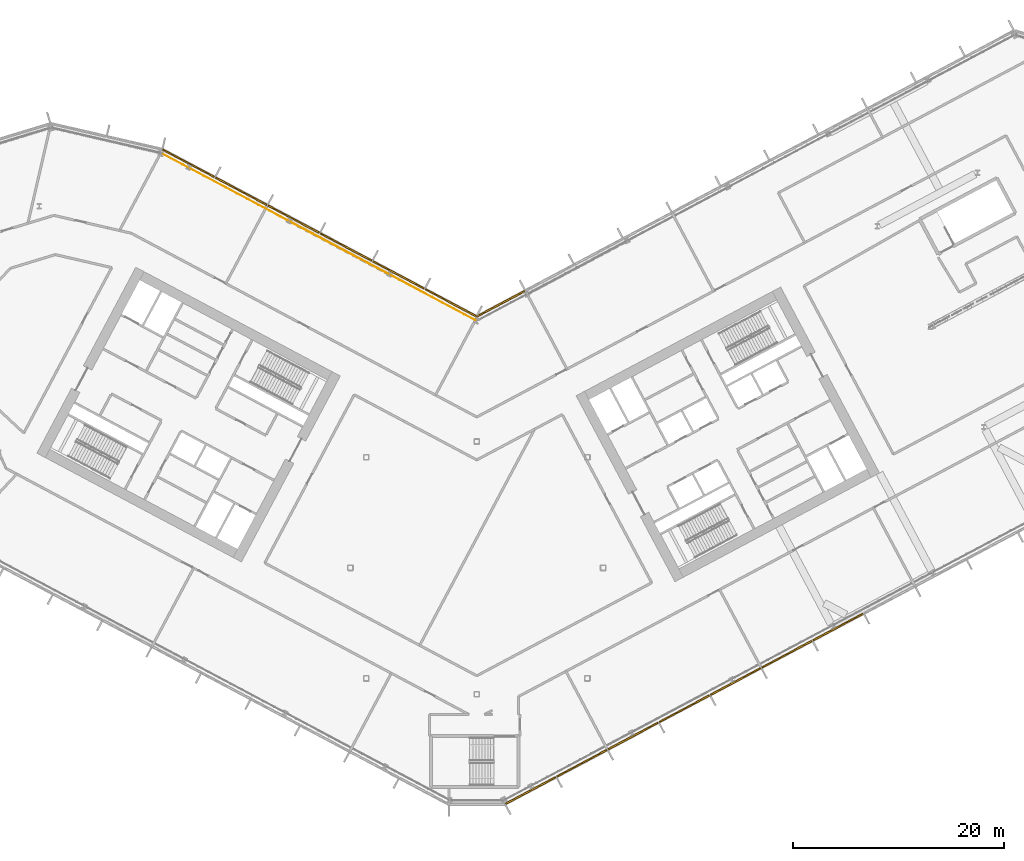
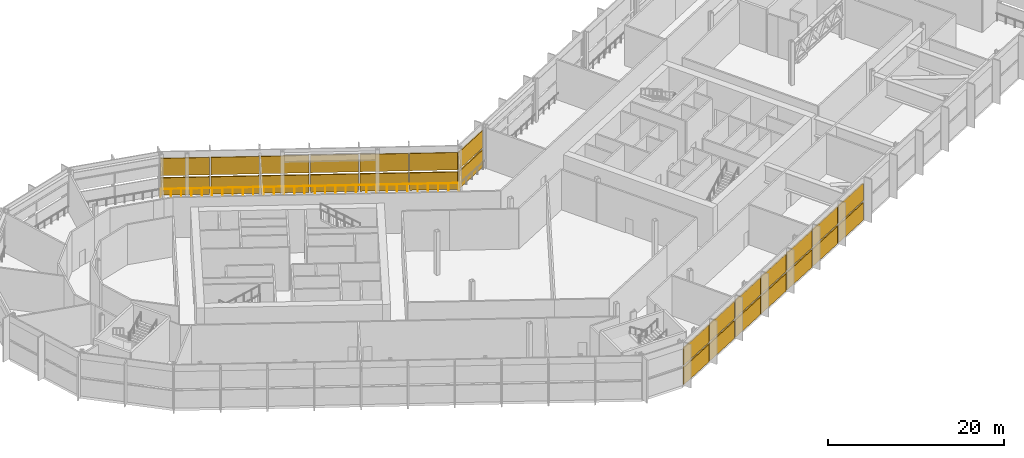
# One storey, part 26 of 33: 28 shading devices, 1 railing, 3 elements without a shape of their own.
"""IFC4 building model written with IfcOpenShell, lengths in metres."""

from ifc_helpers import new_model, si_unit, direction, frame, origin, origin_2d, place, context, subcontext, project, spatial, polyline, rectangle, outline, extrude, material, layer, layer_set, type_object, element, aggregate, save


model = new_model("IFC4")

# Units and contexts
model_context = context("Model", 3, precision=1e-05, world=origin(), true_north=direction((0.0, 1.0)))
body_context = subcontext(model_context, "Body", "Model", "MODEL_VIEW")
ifc_project = project(units=[si_unit("LENGTHUNIT", "METRE"), si_unit("AREAUNIT", "SQUARE_METRE"), si_unit("VOLUMEUNIT", "CUBIC_METRE"), si_unit("PLANEANGLEUNIT", "RADIAN"), si_unit("MASSUNIT", "GRAM", prefix="KILO")], contexts=[model_context])

# Site, building, storey
site_placement = place(None, origin())
site = spatial("IfcSite", under=ifc_project, at=site_placement, CompositionType="ELEMENT")
building_placement = place(site_placement, origin())
building = spatial("IfcBuilding", under=site, at=building_placement, Name="Cormorant Relay Tower", CompositionType="ELEMENT")
storey_placement = place(building_placement, frame((0.0, 0.0, 112.199951171875)))
storey = spatial("IfcBuildingStorey", under=building, at=storey_placement, Name="L22", CompositionType="ELEMENT", Elevation=112.199951171875)

# Railing
ifc_material_1 = material(Name="Stainless steel 316 guard", Category="steel")
railing_type = type_object("IfcRailingType", Name="Band louvre guard 1100", PredefinedType="GUARDRAIL", material=ifc_material_1)
railing_placement = place(storey_placement, frame((-0.140869140625, 23.51904296875, 0.0)))
element("IfcRailing", 1, at=railing_placement, inside=storey, type_object=railing_type, Name="CW4 guard 7", PredefinedType="GUARDRAIL", context=body_context, shape_type="SweptSolid", body=[
    extrude(outline(polyline([(0.022216796875, 0.00927734375), (0.00927734375, 0.022216796875), (-0.00927734375, 0.022216796875), (-0.022216796875, 0.00927734375), (-0.022216796875, -0.00927734375), (-0.00927734375, -0.022216796875), (0.00927734375, -0.022216796875), (0.022216796875, -0.00927734375), (0.022216796875, 0.00927734375)])), frame((0.0, 0.0, 1.076171875), z_axis=(-0.882946280328, 0.46947403129, 0.0), x_axis=(-0.46947403129, -0.882946280328, 0.0)), (0.0, 0.0, 1.0), 33.834228515625),
    extrude(outline(polyline([(0.019287109375, 0.008056640625), (0.008056640625, 0.019287109375), (-0.008056640625, 0.019287109375), (-0.019287109375, 0.008056640625), (-0.019287109375, -0.008056640625), (-0.008056640625, -0.019287109375), (0.008056640625, -0.019287109375), (0.019287109375, -0.008056640625), (0.019287109375, 0.008056640625)])), origin(), (0.0, 0.0, 1.0), 1.052001953125),
    extrude(outline(polyline([(0.019287109375, 0.008056640625), (0.008056640625, 0.019287109375), (-0.008056640625, 0.019287109375), (-0.019287109375, 0.008056640625), (-0.019287109375, -0.008056640625), (-0.008056640625, -0.019287109375), (0.008056640625, -0.019287109375), (0.019287109375, -0.008056640625), (0.019287109375, 0.008056640625)])), frame((-1.030029296875, 0.5478515625, 0.0)), (0.0, 0.0, 1.0), 1.052001953125),
    extrude(outline(polyline([(0.019287109375, 0.008056640625), (0.008056640625, 0.019287109375), (-0.008056640625, 0.019287109375), (-0.019287109375, 0.008056640625), (-0.019287109375, -0.008056640625), (-0.008056640625, -0.019287109375), (0.008056640625, -0.019287109375), (0.019287109375, -0.008056640625), (0.019287109375, 0.008056640625)])), frame((-2.060302734375, 1.095458984375, 0.0)), (0.0, 0.0, 1.0), 1.052001953125),
    extrude(outline(polyline([(0.019287109375, 0.008056640625), (0.008056640625, 0.019287109375), (-0.008056640625, 0.019287109375), (-0.019287109375, 0.008056640625), (-0.019287109375, -0.008056640625), (-0.008056640625, -0.019287109375), (0.008056640625, -0.019287109375), (0.019287109375, -0.008056640625), (0.019287109375, 0.008056640625)])), frame((-3.09033203125, 1.643310546875, 0.0)), (0.0, 0.0, 1.0), 1.052001953125),
    extrude(outline(polyline([(0.019287109375, 0.008056640625), (0.008056640625, 0.019287109375), (-0.008056640625, 0.019287109375), (-0.019287109375, 0.008056640625), (-0.019287109375, -0.008056640625), (-0.008056640625, -0.019287109375), (0.008056640625, -0.019287109375), (0.019287109375, -0.008056640625), (0.019287109375, 0.008056640625)])), frame((-4.12060546875, 2.19091796875, 0.0)), (0.0, 0.0, 1.0), 1.052001953125),
    extrude(outline(polyline([(0.019287109375, 0.008056640625), (0.008056640625, 0.019287109375), (-0.008056640625, 0.019287109375), (-0.019287109375, 0.008056640625), (-0.019287109375, -0.008056640625), (-0.008056640625, -0.019287109375), (0.008056640625, -0.019287109375), (0.019287109375, -0.008056640625), (0.019287109375, 0.008056640625)])), frame((-5.150634765625, 2.73876953125, 0.0)), (0.0, 0.0, 1.0), 1.052001953125),
    extrude(outline(polyline([(0.019287109375, 0.008056640625), (0.008056640625, 0.019287109375), (-0.008056640625, 0.019287109375), (-0.019287109375, 0.008056640625), (-0.019287109375, -0.008056640625), (-0.008056640625, -0.019287109375), (0.008056640625, -0.019287109375), (0.019287109375, -0.008056640625), (0.019287109375, 0.008056640625)])), frame((-6.1806640625, 3.286376953125, 0.0)), (0.0, 0.0, 1.0), 1.052001953125),
    extrude(outline(polyline([(0.019287109375, 0.008056640625), (0.008056640625, 0.019287109375), (-0.008056640625, 0.019287109375), (-0.019287109375, 0.008056640625), (-0.019287109375, -0.008056640625), (-0.008056640625, -0.019287109375), (0.008056640625, -0.019287109375), (0.019287109375, -0.008056640625), (0.019287109375, 0.008056640625)])), frame((-7.2109375, 3.834228515625, 0.0)), (0.0, 0.0, 1.0), 1.052001953125),
    extrude(outline(polyline([(0.019287109375, 0.008056640625), (0.008056640625, 0.019287109375), (-0.008056640625, 0.019287109375), (-0.019287109375, 0.008056640625), (-0.019287109375, -0.008056640625), (-0.008056640625, -0.019287109375), (0.008056640625, -0.019287109375), (0.019287109375, -0.008056640625), (0.019287109375, 0.008056640625)])), frame((-8.240966796875, 4.3818359375, 0.0)), (0.0, 0.0, 1.0), 1.052001953125),
    extrude(outline(polyline([(0.019287109375, 0.008056640625), (0.008056640625, 0.019287109375), (-0.008056640625, 0.019287109375), (-0.019287109375, 0.008056640625), (-0.019287109375, -0.008056640625), (-0.008056640625, -0.019287109375), (0.008056640625, -0.019287109375), (0.019287109375, -0.008056640625), (0.019287109375, 0.008056640625)])), frame((-9.271240234375, 4.9296875, 0.0)), (0.0, 0.0, 1.0), 1.052001953125),
    extrude(outline(polyline([(0.019287109375, 0.008056640625), (0.008056640625, 0.019287109375), (-0.008056640625, 0.019287109375), (-0.019287109375, 0.008056640625), (-0.019287109375, -0.008056640625), (-0.008056640625, -0.019287109375), (0.008056640625, -0.019287109375), (0.019287109375, -0.008056640625), (0.019287109375, 0.008056640625)])), frame((-10.30126953125, 5.477294921875, 0.0)), (0.0, 0.0, 1.0), 1.052001953125),
    extrude(outline(polyline([(0.019287109375, 0.008056640625), (0.008056640625, 0.019287109375), (-0.008056640625, 0.019287109375), (-0.019287109375, 0.008056640625), (-0.019287109375, -0.008056640625), (-0.008056640625, -0.019287109375), (0.008056640625, -0.019287109375), (0.019287109375, -0.008056640625), (0.019287109375, 0.008056640625)])), frame((-11.33154296875, 6.025146484375, 0.0)), (0.0, 0.0, 1.0), 1.052001953125),
    extrude(outline(polyline([(0.019287109375, 0.008056640625), (0.008056640625, 0.019287109375), (-0.008056640625, 0.019287109375), (-0.019287109375, 0.008056640625), (-0.019287109375, -0.008056640625), (-0.008056640625, -0.019287109375), (0.008056640625, -0.019287109375), (0.019287109375, -0.008056640625), (0.019287109375, 0.008056640625)])), frame((-12.361572265625, 6.57275390625, 0.0)), (0.0, 0.0, 1.0), 1.052001953125),
    extrude(outline(polyline([(0.019287109375, 0.008056640625), (0.008056640625, 0.019287109375), (-0.008056640625, 0.019287109375), (-0.019287109375, 0.008056640625), (-0.019287109375, -0.008056640625), (-0.008056640625, -0.019287109375), (0.008056640625, -0.019287109375), (0.019287109375, -0.008056640625), (0.019287109375, 0.008056640625)])), frame((-13.3916015625, 7.12060546875, 0.0)), (0.0, 0.0, 1.0), 1.052001953125),
    extrude(outline(polyline([(0.019287109375, 0.008056640625), (0.008056640625, 0.019287109375), (-0.008056640625, 0.019287109375), (-0.019287109375, 0.008056640625), (-0.019287109375, -0.008056640625), (-0.008056640625, -0.019287109375), (0.008056640625, -0.019287109375), (0.019287109375, -0.008056640625), (0.019287109375, 0.008056640625)])), frame((-14.421875, 7.668212890625, 0.0)), (0.0, 0.0, 1.0), 1.052001953125),
    extrude(outline(polyline([(0.019287109375, 0.008056640625), (0.008056640625, 0.019287109375), (-0.008056640625, 0.019287109375), (-0.019287109375, 0.008056640625), (-0.019287109375, -0.008056640625), (-0.008056640625, -0.019287109375), (0.008056640625, -0.019287109375), (0.019287109375, -0.008056640625), (0.019287109375, 0.008056640625)])), frame((-15.451904296875, 8.216064453125, 0.0)), (0.0, 0.0, 1.0), 1.052001953125),
    extrude(outline(polyline([(0.019287109375, 0.008056640625), (0.008056640625, 0.019287109375), (-0.008056640625, 0.019287109375), (-0.019287109375, 0.008056640625), (-0.019287109375, -0.008056640625), (-0.008056640625, -0.019287109375), (0.008056640625, -0.019287109375), (0.019287109375, -0.008056640625), (0.019287109375, 0.008056640625)])), frame((-16.482177734375, 8.763671875, 0.0)), (0.0, 0.0, 1.0), 1.052001953125),
    extrude(outline(polyline([(0.019287109375, 0.008056640625), (0.008056640625, 0.019287109375), (-0.008056640625, 0.019287109375), (-0.019287109375, 0.008056640625), (-0.019287109375, -0.008056640625), (-0.008056640625, -0.019287109375), (0.008056640625, -0.019287109375), (0.019287109375, -0.008056640625), (0.019287109375, 0.008056640625)])), frame((-17.51220703125, 9.3115234375, 0.0)), (0.0, 0.0, 1.0), 1.052001953125),
    extrude(outline(polyline([(0.019287109375, 0.008056640625), (0.008056640625, 0.019287109375), (-0.008056640625, 0.019287109375), (-0.019287109375, 0.008056640625), (-0.019287109375, -0.008056640625), (-0.008056640625, -0.019287109375), (0.008056640625, -0.019287109375), (0.019287109375, -0.008056640625), (0.019287109375, 0.008056640625)])), frame((-18.542236328125, 9.859130859375, 0.0)), (0.0, 0.0, 1.0), 1.052001953125),
    extrude(outline(polyline([(0.019287109375, 0.008056640625), (0.008056640625, 0.019287109375), (-0.008056640625, 0.019287109375), (-0.019287109375, 0.008056640625), (-0.019287109375, -0.008056640625), (-0.008056640625, -0.019287109375), (0.008056640625, -0.019287109375), (0.019287109375, -0.008056640625), (0.019287109375, 0.008056640625)])), frame((-19.572509765625, 10.406982421875, 0.0)), (0.0, 0.0, 1.0), 1.052001953125),
    extrude(outline(polyline([(0.019287109375, 0.008056640625), (0.008056640625, 0.019287109375), (-0.008056640625, 0.019287109375), (-0.019287109375, 0.008056640625), (-0.019287109375, -0.008056640625), (-0.008056640625, -0.019287109375), (0.008056640625, -0.019287109375), (0.019287109375, -0.008056640625), (0.019287109375, 0.008056640625)])), frame((-20.6025390625, 10.95458984375, 0.0)), (0.0, 0.0, 1.0), 1.052001953125),
    extrude(outline(polyline([(0.019287109375, 0.008056640625), (0.008056640625, 0.019287109375), (-0.008056640625, 0.019287109375), (-0.019287109375, 0.008056640625), (-0.019287109375, -0.008056640625), (-0.008056640625, -0.019287109375), (0.008056640625, -0.019287109375), (0.019287109375, -0.008056640625), (0.019287109375, 0.008056640625)])), frame((-21.6328125, 11.50244140625, 0.0)), (0.0, 0.0, 1.0), 1.052001953125),
    extrude(outline(polyline([(0.019287109375, 0.008056640625), (0.008056640625, 0.019287109375), (-0.008056640625, 0.019287109375), (-0.019287109375, 0.008056640625), (-0.019287109375, -0.008056640625), (-0.008056640625, -0.019287109375), (0.008056640625, -0.019287109375), (0.019287109375, -0.008056640625), (0.019287109375, 0.008056640625)])), frame((-22.662841796875, 12.050048828125, 0.0)), (0.0, 0.0, 1.0), 1.052001953125),
    extrude(outline(polyline([(0.019287109375, 0.008056640625), (0.008056640625, 0.019287109375), (-0.008056640625, 0.019287109375), (-0.019287109375, 0.008056640625), (-0.019287109375, -0.008056640625), (-0.008056640625, -0.019287109375), (0.008056640625, -0.019287109375), (0.019287109375, -0.008056640625), (0.019287109375, 0.008056640625)])), frame((-23.693115234375, 12.597900390625, 0.0)), (0.0, 0.0, 1.0), 1.052001953125),
    extrude(outline(polyline([(0.019287109375, 0.008056640625), (0.008056640625, 0.019287109375), (-0.008056640625, 0.019287109375), (-0.019287109375, 0.008056640625), (-0.019287109375, -0.008056640625), (-0.008056640625, -0.019287109375), (0.008056640625, -0.019287109375), (0.019287109375, -0.008056640625), (0.019287109375, 0.008056640625)])), frame((-24.72314453125, 13.1455078125, 0.0)), (0.0, 0.0, 1.0), 1.052001953125),
    extrude(outline(polyline([(0.019287109375, 0.008056640625), (0.008056640625, 0.019287109375), (-0.008056640625, 0.019287109375), (-0.019287109375, 0.008056640625), (-0.019287109375, -0.008056640625), (-0.008056640625, -0.019287109375), (0.008056640625, -0.019287109375), (0.019287109375, -0.008056640625), (0.019287109375, 0.008056640625)])), frame((-25.753173828125, 13.693359375, 0.0)), (0.0, 0.0, 1.0), 1.052001953125),
    extrude(outline(polyline([(0.019287109375, 0.008056640625), (0.008056640625, 0.019287109375), (-0.008056640625, 0.019287109375), (-0.019287109375, 0.008056640625), (-0.019287109375, -0.008056640625), (-0.008056640625, -0.019287109375), (0.008056640625, -0.019287109375), (0.019287109375, -0.008056640625), (0.019287109375, 0.008056640625)])), frame((-26.783447265625, 14.240966796875, 0.0)), (0.0, 0.0, 1.0), 1.052001953125),
    extrude(outline(polyline([(0.019287109375, 0.008056640625), (0.008056640625, 0.019287109375), (-0.008056640625, 0.019287109375), (-0.019287109375, 0.008056640625), (-0.019287109375, -0.008056640625), (-0.008056640625, -0.019287109375), (0.008056640625, -0.019287109375), (0.019287109375, -0.008056640625), (0.019287109375, 0.008056640625)])), frame((-27.8134765625, 14.788818359375, 0.0)), (0.0, 0.0, 1.0), 1.052001953125),
    extrude(outline(polyline([(0.019287109375, 0.008056640625), (0.008056640625, 0.019287109375), (-0.008056640625, 0.019287109375), (-0.019287109375, 0.008056640625), (-0.019287109375, -0.008056640625), (-0.008056640625, -0.019287109375), (0.008056640625, -0.019287109375), (0.019287109375, -0.008056640625), (0.019287109375, 0.008056640625)])), frame((-28.84375, 15.33642578125, 0.0)), (0.0, 0.0, 1.0), 1.052001953125),
    extrude(outline(polyline([(0.019287109375, 0.008056640625), (0.008056640625, 0.019287109375), (-0.008056640625, 0.019287109375), (-0.019287109375, 0.008056640625), (-0.019287109375, -0.008056640625), (-0.008056640625, -0.019287109375), (0.008056640625, -0.019287109375), (0.019287109375, -0.008056640625), (0.019287109375, 0.008056640625)])), frame((-29.873779296875, 15.88427734375, 0.0)), (0.0, 0.0, 1.0), 1.052001953125),
])

# Curtain wall, shading devices
ifc_material_2 = material(Name="Aluminium 6063-T6 anodised bronze", Category="aluminium")
ifc_layer = layer(ifc_material_2, 0.199951171875)
ifc_layer_set = layer_set([ifc_layer], Name="CW4 band louvre wall")
curtain_wall_type = type_object("IfcCurtainWallType", Name="CW4 band louvre wall", PredefinedType="NOTDEFINED", material=ifc_layer_set)
curtain_wall_1_placement = place(storey_placement, origin())
curtain_wall_1 = element("IfcCurtainWall", 2, at=curtain_wall_1_placement, inside=storey, type_object=curtain_wall_type, Name="CW4 curtain wall 2", PredefinedType="NOTDEFINED")
ifc_material_3 = material(Name="Aluminium 6063-T6 anodised bronze louvre", Category="aluminium")
shading_device_type = type_object("IfcShadingDeviceType", Name="CW4 bronze louvre bank 150 x 2400", PredefinedType="USERDEFINED", material=ifc_material_3)
shading_device_1_placement = place(storey_placement, frame((5.117431640625, -21.14794921875, 2.7001953125), z_axis=(0.0, 0.0, 1.0), x_axis=(0.882947592859, 0.469471562786, 0.0)))
shading_device_1 = element("IfcShadingDevice", 3, at=shading_device_1_placement, type_object=shading_device_type, Name="CW4 louvre bank U2.1", ObjectType="LOUVRE", PredefinedType="USERDEFINED", context=body_context, shape_type="SweptSolid", body=[
    extrude(rectangle(XDim=5.36181640625, YDim=0.14990234375, at=origin_2d()), origin(), (0.0, 0.0, 1.0), 2.39990234375),
])
shading_device_2_placement = place(storey_placement, frame((5.117431640625, -21.14794921875, 0.0), z_axis=(0.0, 0.0, 1.0), x_axis=(0.882947592859, 0.469471562786, 0.0)))
shading_device_2 = element("IfcShadingDevice", 4, at=shading_device_2_placement, type_object=shading_device_type, Name="CW4 louvre bank D2.1", ObjectType="LOUVRE", PredefinedType="USERDEFINED", context=body_context, shape_type="SweptSolid", body=[
    extrude(rectangle(XDim=5.36181640625, YDim=0.14990234375, at=origin_2d()), origin(), (0.0, 0.0, 1.0), 2.39990234375),
])
shading_device_3_placement = place(storey_placement, frame((9.984130859375, -18.560302734375, 2.7001953125), z_axis=(0.0, 0.0, 1.0), x_axis=(0.882947592859, 0.469471562786, 0.0)))
shading_device_3 = element("IfcShadingDevice", 5, at=shading_device_3_placement, type_object=shading_device_type, Name="CW4 louvre bank U2.2", ObjectType="LOUVRE", PredefinedType="USERDEFINED", context=body_context, shape_type="SweptSolid", body=[
    extrude(rectangle(XDim=5.36181640625, YDim=0.14990234375, at=origin_2d()), origin(), (0.0, 0.0, 1.0), 2.39990234375),
])
shading_device_4_placement = place(storey_placement, frame((9.984130859375, -18.560302734375, 0.0), z_axis=(0.0, 0.0, 1.0), x_axis=(0.882947592859, 0.469471562786, 0.0)))
shading_device_4 = element("IfcShadingDevice", 6, at=shading_device_4_placement, type_object=shading_device_type, Name="CW4 louvre bank D2.2", ObjectType="LOUVRE", PredefinedType="USERDEFINED", context=body_context, shape_type="SweptSolid", body=[
    extrude(rectangle(XDim=5.36181640625, YDim=0.14990234375, at=origin_2d()), origin(), (0.0, 0.0, 1.0), 2.39990234375),
])
shading_device_5_placement = place(storey_placement, frame((14.8505859375, -15.97265625, 2.7001953125), z_axis=(0.0, 0.0, 1.0), x_axis=(0.882947592859, 0.469471562786, 0.0)))
shading_device_5 = element("IfcShadingDevice", 7, at=shading_device_5_placement, type_object=shading_device_type, Name="CW4 louvre bank U2.3", ObjectType="LOUVRE", PredefinedType="USERDEFINED", context=body_context, shape_type="SweptSolid", body=[
    extrude(rectangle(XDim=5.36181640625, YDim=0.14990234375, at=origin_2d()), origin(), (0.0, 0.0, 1.0), 2.39990234375),
])
shading_device_6_placement = place(storey_placement, frame((14.8505859375, -15.97265625, 0.0), z_axis=(0.0, 0.0, 1.0), x_axis=(0.882947592859, 0.469471562786, 0.0)))
shading_device_6 = element("IfcShadingDevice", 8, at=shading_device_6_placement, type_object=shading_device_type, Name="CW4 louvre bank D2.3", ObjectType="LOUVRE", PredefinedType="USERDEFINED", context=body_context, shape_type="SweptSolid", body=[
    extrude(rectangle(XDim=5.36181640625, YDim=0.14990234375, at=origin_2d()), origin(), (0.0, 0.0, 1.0), 2.39990234375),
])
shading_device_7_placement = place(storey_placement, frame((19.71728515625, -13.385009765625, 2.7001953125), z_axis=(0.0, 0.0, 1.0), x_axis=(0.882947592859, 0.469471562786, 0.0)))
shading_device_7 = element("IfcShadingDevice", 9, at=shading_device_7_placement, type_object=shading_device_type, Name="CW4 louvre bank U2.4", ObjectType="LOUVRE", PredefinedType="USERDEFINED", context=body_context, shape_type="SweptSolid", body=[
    extrude(rectangle(XDim=5.36181640625, YDim=0.14990234375, at=origin_2d()), origin(), (0.0, 0.0, 1.0), 2.39990234375),
])
shading_device_8_placement = place(storey_placement, frame((19.71728515625, -13.385009765625, 0.0), z_axis=(0.0, 0.0, 1.0), x_axis=(0.882947592859, 0.469471562786, 0.0)))
shading_device_8 = element("IfcShadingDevice", 10, at=shading_device_8_placement, type_object=shading_device_type, Name="CW4 louvre bank D2.4", ObjectType="LOUVRE", PredefinedType="USERDEFINED", context=body_context, shape_type="SweptSolid", body=[
    extrude(rectangle(XDim=5.36181640625, YDim=0.14990234375, at=origin_2d()), origin(), (0.0, 0.0, 1.0), 2.39990234375),
])
shading_device_9_placement = place(storey_placement, frame((24.583984375, -10.79736328125, 2.7001953125), z_axis=(0.0, 0.0, 1.0), x_axis=(0.882947592859, 0.469471562786, 0.0)))
shading_device_9 = element("IfcShadingDevice", 11, at=shading_device_9_placement, type_object=shading_device_type, Name="CW4 louvre bank U2.5", ObjectType="LOUVRE", PredefinedType="USERDEFINED", context=body_context, shape_type="SweptSolid", body=[
    extrude(rectangle(XDim=5.36181640625, YDim=0.14990234375, at=origin_2d()), origin(), (0.0, 0.0, 1.0), 2.39990234375),
])
shading_device_10_placement = place(storey_placement, frame((24.583984375, -10.79736328125, 0.0), z_axis=(0.0, 0.0, 1.0), x_axis=(0.882947592859, 0.469471562786, 0.0)))
shading_device_10 = element("IfcShadingDevice", 12, at=shading_device_10_placement, type_object=shading_device_type, Name="CW4 louvre bank D2.5", ObjectType="LOUVRE", PredefinedType="USERDEFINED", context=body_context, shape_type="SweptSolid", body=[
    extrude(rectangle(XDim=5.36181640625, YDim=0.14990234375, at=origin_2d()), origin(), (0.0, 0.0, 1.0), 2.39990234375),
])
shading_device_11_placement = place(storey_placement, frame((29.45068359375, -8.209716796875, 2.7001953125), z_axis=(0.0, 0.0, 1.0), x_axis=(0.882947592859, 0.469471562786, 0.0)))
shading_device_11 = element("IfcShadingDevice", 13, at=shading_device_11_placement, type_object=shading_device_type, Name="CW4 louvre bank U2.6", ObjectType="LOUVRE", PredefinedType="USERDEFINED", context=body_context, shape_type="SweptSolid", body=[
    extrude(rectangle(XDim=5.36181640625, YDim=0.14990234375, at=origin_2d()), origin(), (0.0, 0.0, 1.0), 2.39990234375),
])
shading_device_12_placement = place(storey_placement, frame((29.45068359375, -8.209716796875, 0.0), z_axis=(0.0, 0.0, 1.0), x_axis=(0.882947592859, 0.469471562786, 0.0)))
shading_device_12 = element("IfcShadingDevice", 14, at=shading_device_12_placement, type_object=shading_device_type, Name="CW4 louvre bank D2.6", ObjectType="LOUVRE", PredefinedType="USERDEFINED", context=body_context, shape_type="SweptSolid", body=[
    extrude(rectangle(XDim=5.36181640625, YDim=0.14990234375, at=origin_2d()), origin(), (0.0, 0.0, 1.0), 2.39990234375),
])
shading_device_13_placement = place(storey_placement, frame((34.3173828125, -5.6220703125, 2.7001953125), z_axis=(0.0, 0.0, 1.0), x_axis=(0.882947592859, 0.469471562786, 0.0)))
shading_device_13 = element("IfcShadingDevice", 15, at=shading_device_13_placement, type_object=shading_device_type, Name="CW4 louvre bank U2.7", ObjectType="LOUVRE", PredefinedType="USERDEFINED", context=body_context, shape_type="SweptSolid", body=[
    extrude(rectangle(XDim=5.36181640625, YDim=0.14990234375, at=origin_2d()), origin(), (0.0, 0.0, 1.0), 2.39990234375),
])
shading_device_14_placement = place(storey_placement, frame((34.3173828125, -5.6220703125, 0.0), z_axis=(0.0, 0.0, 1.0), x_axis=(0.882947592859, 0.469471562786, 0.0)))
shading_device_14 = element("IfcShadingDevice", 16, at=shading_device_14_placement, type_object=shading_device_type, Name="CW4 louvre bank D2.7", ObjectType="LOUVRE", PredefinedType="USERDEFINED", context=body_context, shape_type="SweptSolid", body=[
    extrude(rectangle(XDim=5.36181640625, YDim=0.14990234375, at=origin_2d()), origin(), (0.0, 0.0, 1.0), 2.39990234375),
])
aggregate(curtain_wall_1, [shading_device_1, shading_device_2, shading_device_3, shading_device_4, shading_device_5, shading_device_6, shading_device_7, shading_device_8, shading_device_9, shading_device_10, shading_device_11, shading_device_12, shading_device_13, shading_device_14])

curtain_wall_2_placement = place(storey_placement, origin())
curtain_wall_2 = element("IfcCurtainWall", 17, at=curtain_wall_2_placement, inside=storey, type_object=curtain_wall_type, Name="CW4 curtain wall 6", PredefinedType="NOTDEFINED")
shading_device_15_placement = place(storey_placement, frame((2.252685546875, 25.066650390625, 2.7001953125), z_axis=(0.0, 0.0, 1.0), x_axis=(-0.882947592859, -0.469471562786, 0.0)))
shading_device_15 = element("IfcShadingDevice", 18, at=shading_device_15_placement, type_object=shading_device_type, Name="CW4 louvre bank U6.11", ObjectType="LOUVRE", PredefinedType="USERDEFINED", context=body_context, shape_type="SweptSolid", body=[
    extrude(rectangle(XDim=5.1826171875, YDim=0.14990234375, at=origin_2d()), origin(), (0.0, 0.0, 1.0), 2.39990234375),
])
shading_device_16_placement = place(storey_placement, frame((2.252685546875, 25.066650390625, 0.0), z_axis=(0.0, 0.0, 1.0), x_axis=(-0.882947592859, -0.469471562786, 0.0)))
shading_device_16 = element("IfcShadingDevice", 19, at=shading_device_16_placement, type_object=shading_device_type, Name="CW4 louvre bank D6.11", ObjectType="LOUVRE", PredefinedType="USERDEFINED", context=body_context, shape_type="SweptSolid", body=[
    extrude(rectangle(XDim=5.1826171875, YDim=0.14990234375, at=origin_2d()), origin(), (0.0, 0.0, 1.0), 2.39990234375),
])
aggregate(curtain_wall_2, [shading_device_15, shading_device_16])

curtain_wall_3_placement = place(storey_placement, origin())
curtain_wall_3 = element("IfcCurtainWall", 20, at=curtain_wall_3_placement, inside=storey, type_object=curtain_wall_type, Name="CW4 curtain wall 7", PredefinedType="NOTDEFINED")
shading_device_17_placement = place(storey_placement, frame((-2.4873046875, 25.19140625, 2.7001953125), z_axis=(0.0, 0.0, 1.0), x_axis=(-0.882947592859, 0.469471562786, 0.0)))
shading_device_17 = element("IfcShadingDevice", 21, at=shading_device_17_placement, type_object=shading_device_type, Name="CW4 louvre bank U7.1", ObjectType="LOUVRE", PredefinedType="USERDEFINED", context=body_context, shape_type="SweptSolid", body=[
    extrude(rectangle(XDim=5.4140625, YDim=0.14990234375, at=origin_2d()), origin(), (0.0, 0.0, 1.0), 2.39990234375),
])
shading_device_18_placement = place(storey_placement, frame((-2.4873046875, 25.19140625, 0.0), z_axis=(0.0, 0.0, 1.0), x_axis=(-0.882947592859, 0.469471562786, 0.0)))
shading_device_18 = element("IfcShadingDevice", 22, at=shading_device_18_placement, type_object=shading_device_type, Name="CW4 louvre bank D7.1", ObjectType="LOUVRE", PredefinedType="USERDEFINED", context=body_context, shape_type="SweptSolid", body=[
    extrude(rectangle(XDim=5.4140625, YDim=0.14990234375, at=origin_2d()), origin(), (0.0, 0.0, 1.0), 2.39990234375),
])
shading_device_19_placement = place(storey_placement, frame((-7.43310546875, 27.8212890625, 2.7001953125), z_axis=(0.0, 0.0, 1.0), x_axis=(-0.882947592859, 0.469471562786, 0.0)))
shading_device_19 = element("IfcShadingDevice", 23, at=shading_device_19_placement, type_object=shading_device_type, Name="CW4 louvre bank U7.2", ObjectType="LOUVRE", PredefinedType="USERDEFINED", context=body_context, shape_type="SweptSolid", body=[
    extrude(rectangle(XDim=5.489013671875, YDim=0.14990234375, at=origin_2d()), origin(), (0.0, 0.0, 1.0), 2.39990234375),
])
shading_device_20_placement = place(storey_placement, frame((-7.43310546875, 27.8212890625, 0.0), z_axis=(0.0, 0.0, 1.0), x_axis=(-0.882947592859, 0.469471562786, 0.0)))
shading_device_20 = element("IfcShadingDevice", 24, at=shading_device_20_placement, type_object=shading_device_type, Name="CW4 louvre bank D7.2", ObjectType="LOUVRE", PredefinedType="USERDEFINED", context=body_context, shape_type="SweptSolid", body=[
    extrude(rectangle(XDim=5.489013671875, YDim=0.14990234375, at=origin_2d()), origin(), (0.0, 0.0, 1.0), 2.39990234375),
])
shading_device_21_placement = place(storey_placement, frame((-12.412109375, 30.468505859375, 2.7001953125), z_axis=(0.0, 0.0, 1.0), x_axis=(-0.882947592859, 0.469471562786, 0.0)))
shading_device_21 = element("IfcShadingDevice", 25, at=shading_device_21_placement, type_object=shading_device_type, Name="CW4 louvre bank U7.3", ObjectType="LOUVRE", PredefinedType="USERDEFINED", context=body_context, shape_type="SweptSolid", body=[
    extrude(rectangle(XDim=5.489013671875, YDim=0.14990234375, at=origin_2d()), origin(), (0.0, 0.0, 1.0), 2.39990234375),
])
shading_device_22_placement = place(storey_placement, frame((-12.412109375, 30.468505859375, 0.0), z_axis=(0.0, 0.0, 1.0), x_axis=(-0.882947592859, 0.469471562786, 0.0)))
shading_device_22 = element("IfcShadingDevice", 26, at=shading_device_22_placement, type_object=shading_device_type, Name="CW4 louvre bank D7.3", ObjectType="LOUVRE", PredefinedType="USERDEFINED", context=body_context, shape_type="SweptSolid", body=[
    extrude(rectangle(XDim=5.489013671875, YDim=0.14990234375, at=origin_2d()), origin(), (0.0, 0.0, 1.0), 2.39990234375),
])
shading_device_23_placement = place(storey_placement, frame((-17.39111328125, 33.115966796875, 2.7001953125), z_axis=(0.0, 0.0, 1.0), x_axis=(-0.882947592859, 0.469471562786, 0.0)))
shading_device_23 = element("IfcShadingDevice", 27, at=shading_device_23_placement, type_object=shading_device_type, Name="CW4 louvre bank U7.4", ObjectType="LOUVRE", PredefinedType="USERDEFINED", context=body_context, shape_type="SweptSolid", body=[
    extrude(rectangle(XDim=5.489013671875, YDim=0.14990234375, at=origin_2d()), origin(), (0.0, 0.0, 1.0), 2.39990234375),
])
shading_device_24_placement = place(storey_placement, frame((-17.39111328125, 33.115966796875, 0.0), z_axis=(0.0, 0.0, 1.0), x_axis=(-0.882947592859, 0.469471562786, 0.0)))
shading_device_24 = element("IfcShadingDevice", 28, at=shading_device_24_placement, type_object=shading_device_type, Name="CW4 louvre bank D7.4", ObjectType="LOUVRE", PredefinedType="USERDEFINED", context=body_context, shape_type="SweptSolid", body=[
    extrude(rectangle(XDim=5.489013671875, YDim=0.14990234375, at=origin_2d()), origin(), (0.0, 0.0, 1.0), 2.39990234375),
])
shading_device_25_placement = place(storey_placement, frame((-22.3701171875, 35.76318359375, 2.7001953125), z_axis=(0.0, 0.0, 1.0), x_axis=(-0.882947592859, 0.469471562786, 0.0)))
shading_device_25 = element("IfcShadingDevice", 29, at=shading_device_25_placement, type_object=shading_device_type, Name="CW4 louvre bank U7.5", ObjectType="LOUVRE", PredefinedType="USERDEFINED", context=body_context, shape_type="SweptSolid", body=[
    extrude(rectangle(XDim=5.489013671875, YDim=0.14990234375, at=origin_2d()), origin(), (0.0, 0.0, 1.0), 2.39990234375),
])
shading_device_26_placement = place(storey_placement, frame((-22.3701171875, 35.76318359375, 0.0), z_axis=(0.0, 0.0, 1.0), x_axis=(-0.882947592859, 0.469471562786, 0.0)))
shading_device_26 = element("IfcShadingDevice", 30, at=shading_device_26_placement, type_object=shading_device_type, Name="CW4 louvre bank D7.5", ObjectType="LOUVRE", PredefinedType="USERDEFINED", context=body_context, shape_type="SweptSolid", body=[
    extrude(rectangle(XDim=5.489013671875, YDim=0.14990234375, at=origin_2d()), origin(), (0.0, 0.0, 1.0), 2.39990234375),
])
shading_device_27_placement = place(storey_placement, frame((-27.382080078125, 38.42822265625, 2.7001953125), z_axis=(0.0, 0.0, 1.0), x_axis=(-0.882947592859, 0.469471562786, 0.0)))
shading_device_27 = element("IfcShadingDevice", 31, at=shading_device_27_placement, type_object=shading_device_type, Name="CW4 louvre bank U7.6", ObjectType="LOUVRE", PredefinedType="USERDEFINED", context=body_context, shape_type="SweptSolid", body=[
    extrude(rectangle(XDim=5.56396484375, YDim=0.14990234375, at=origin_2d()), origin(), (0.0, 0.0, 1.0), 2.39990234375),
])
shading_device_28_placement = place(storey_placement, frame((-27.382080078125, 38.42822265625, 0.0), z_axis=(0.0, 0.0, 1.0), x_axis=(-0.882947592859, 0.469471562786, 0.0)))
shading_device_28 = element("IfcShadingDevice", 32, at=shading_device_28_placement, type_object=shading_device_type, Name="CW4 louvre bank D7.6", ObjectType="LOUVRE", PredefinedType="USERDEFINED", context=body_context, shape_type="SweptSolid", body=[
    extrude(rectangle(XDim=5.56396484375, YDim=0.14990234375, at=origin_2d()), origin(), (0.0, 0.0, 1.0), 2.39990234375),
])
aggregate(curtain_wall_3, [shading_device_17, shading_device_18, shading_device_19, shading_device_20, shading_device_21, shading_device_22, shading_device_23, shading_device_24, shading_device_25, shading_device_26, shading_device_27, shading_device_28])

save(model, "model.ifc")
